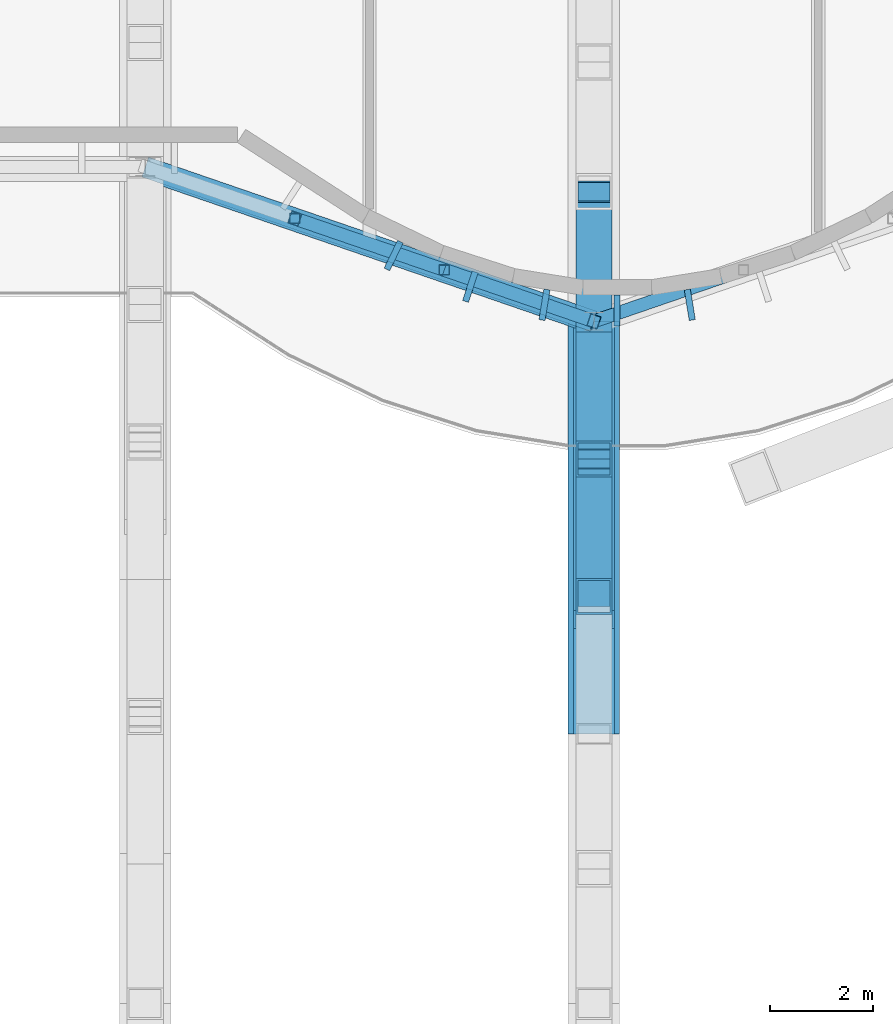
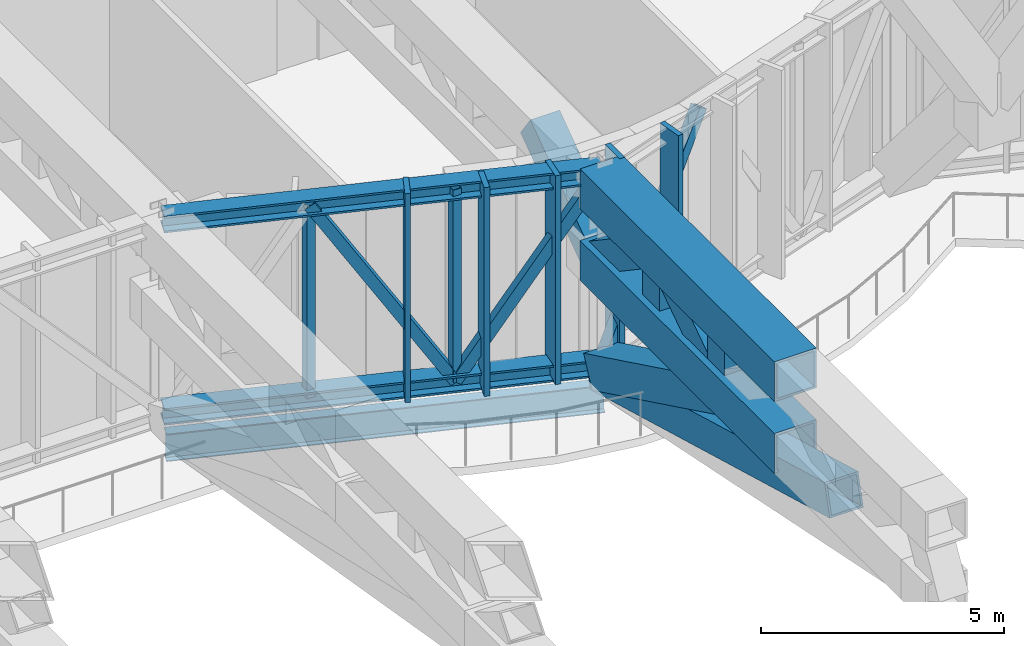
# One storey, part 6 of 30: 21 members, 1 beam, 1 element without a shape of its own.
"""IFC4 building model written with IfcOpenShell, lengths in metres."""

from ifc_helpers import new_model, si_unit, direction, frame, origin, origin_2d, place, context, subcontext, project, spatial, rectangle, hollow_rectangle, i_section, extrude, material, material_profile, profile_set, type_object, element, aggregate, save


model = new_model("IFC4")

# Units and contexts
model_context = context("Model", 3, precision=1e-05, world=origin(), true_north=direction((0.0, 1.0)))
body_context = subcontext(model_context, "Body", "Model", "MODEL_VIEW")
ifc_project = project(units=[si_unit("LENGTHUNIT", "METRE"), si_unit("AREAUNIT", "SQUARE_METRE"), si_unit("VOLUMEUNIT", "CUBIC_METRE"), si_unit("PLANEANGLEUNIT", "RADIAN"), si_unit("MASSUNIT", "GRAM", prefix="KILO")], contexts=[model_context])

# Site, building, storey
site_placement = place(None, origin())
site = spatial("IfcSite", under=ifc_project, at=site_placement, CompositionType="ELEMENT")
building_placement = place(site_placement, origin())
building = spatial("IfcBuilding", under=site, at=building_placement, Name="Bicima Exchange Tower", CompositionType="ELEMENT")
storey_placement = place(building_placement, frame((0.0, 0.0, 287.60009765625)))
storey = spatial("IfcBuildingStorey", under=building, at=storey_placement, Name="L65", CompositionType="ELEMENT", Elevation=287.60009765625)

# Curtain wall, members
ifc_material_1 = material(Name="Anodised bronze aluminium", Category="aluminium")
curtain_wall_type = type_object("IfcCurtainWallType", Name="Band blade screen", PredefinedType="NOTDEFINED", material=ifc_material_1)
curtain_wall_placement = place(storey_placement, origin())
curtain_wall = element("IfcCurtainWall", 1, at=curtain_wall_placement, inside=storey, type_object=curtain_wall_type, Name="Band blade screen L65", PredefinedType="NOTDEFINED")
ifc_material_profile_1 = material_profile(ifc_material_1, rectangle(XDim=0.60009765625, YDim=0.1201171875, at=origin_2d()))
ifc_profile_set_1 = profile_set([ifc_material_profile_1], Name="Anodised bronze aluminium")
member_type_1 = type_object("IfcMemberType", Name="Band blade fin 600 x 120", PredefinedType="USERDEFINED", material=ifc_profile_set_1)
member_1_placement = place(storey_placement, frame((-12.583740234375, -26.798583984375, 0.0), z_axis=(0.0, 0.0, 1.0), x_axis=(0.436286748784, 0.899807686584, 0.0)))
member_1 = element("IfcMember", 2, at=member_1_placement, type_object=member_type_1, Name="Band blade fin 24", ObjectType="FIN", PredefinedType="USERDEFINED", context=body_context, shape_type="SweptSolid", body=[
    extrude(rectangle(XDim=0.60009765625, YDim=0.1201171875, at=origin_2d()), origin(), (0.0, 0.0, 1.0), 5.25),
])
member_2_placement = place(storey_placement, frame((-11.096435546875, -27.402099609375, 0.0), z_axis=(0.0, 0.0, 1.0), x_axis=(0.307552591055, 0.951531083956, 0.0)))
member_2 = element("IfcMember", 3, at=member_2_placement, type_object=member_type_1, Name="Band blade fin 25", ObjectType="FIN", PredefinedType="USERDEFINED", context=body_context, shape_type="SweptSolid", body=[
    extrude(rectangle(XDim=0.60009765625, YDim=0.1201171875, at=origin_2d()), origin(), (0.0, 0.0, 1.0), 5.25),
])
member_3_placement = place(storey_placement, frame((-9.65869140625, -27.75244140625, 0.0), z_axis=(0.0, 0.0, 1.0), x_axis=(0.159533156447, 0.987192570877, 0.0)))
member_3 = element("IfcMember", 4, at=member_3_placement, type_object=member_type_1, Name="Band blade fin 26", ObjectType="FIN", PredefinedType="USERDEFINED", context=body_context, shape_type="SweptSolid", body=[
    extrude(rectangle(XDim=0.60009765625, YDim=0.1201171875, at=origin_2d()), origin(), (0.0, 0.0, 1.0), 5.25),
])
member_4_placement = place(storey_placement, frame((-8.25, -27.866943359375, 0.0), z_axis=(0.0, 0.0, 1.0), x_axis=(0.0, 1.0, 0.0)))
member_4 = element("IfcMember", 5, at=member_4_placement, type_object=member_type_1, Name="Band blade fin 27", ObjectType="FIN", PredefinedType="USERDEFINED", context=body_context, shape_type="SweptSolid", body=[
    extrude(rectangle(XDim=0.60009765625, YDim=0.1201171875, at=origin_2d()), origin(), (0.0, 0.0, 1.0), 5.25),
])
member_5_placement = place(storey_placement, frame((-6.84130859375, -27.75244140625, 0.0), z_axis=(0.0, 0.0, 1.0), x_axis=(-0.159533156447, 0.987192570877, 0.0)))
member_5 = element("IfcMember", 6, at=member_5_placement, type_object=member_type_1, Name="Band blade fin 28", ObjectType="FIN", PredefinedType="USERDEFINED", context=body_context, shape_type="SweptSolid", body=[
    extrude(rectangle(XDim=0.60009765625, YDim=0.1201171875, at=origin_2d()), origin(), (0.0, 0.0, 1.0), 5.25),
])
aggregate(curtain_wall, [member_1, member_2, member_3, member_4, member_5])

# Members
ifc_material_2 = material(Name="Steel ASTM A992 Gr 50", Category="steel")
ifc_material_profile_2 = material_profile(ifc_material_2, i_section(OverallWidth=0.406494140625, OverallDepth=0.41650390625, WebThickness=0.030029296875, FlangeThickness=0.048095703125, at=origin_2d()))
ifc_profile_set_2 = profile_set([ifc_material_profile_2], Name="Steel ASTM A992 Gr 50")
member_type_2 = type_object("IfcMemberType", Name="Belt truss chord W14x257", PredefinedType="CHORD", material=ifc_profile_set_2)
for number, where, z_axis, x_axis, name in (
    (7, (-17.39990234375, -25.08203125, 5.04150390625), (0.945674616091, -0.32511462668, 0.0), (0.32511462668, 0.945674616091, 0.0), "Top chord"),
    (8, (-17.39990234375, -25.08203125, 0.208251953125), (0.945674616091, -0.32511462668, 0.0), (0.32511462668, 0.945674616091, 0.0), "Bottom chord"),
):
    element("IfcMember", number, at=place(storey_placement, frame(where, z_axis=z_axis, x_axis=x_axis)), inside=storey, type_object=member_type_2, Name=name, PredefinedType="CHORD", context=body_context, shape_type="SweptSolid", body=[
        extrude(i_section(OverallWidth=0.406494140625, OverallDepth=0.41650390625, WebThickness=0.030029296875, FlangeThickness=0.048095703125, at=origin_2d()), origin(), (0.0, 0.0, 1.0), 9.19970703125),
    ])
ifc_material_3 = material(Name="Steel ASTM A572 Gr 50", Category="steel")
ifc_material_profile_3 = material_profile(ifc_material_3, hollow_rectangle(XDim=0.25390625, YDim=0.25390625, WallThickness=0.01171875, at=origin_2d()))
ifc_profile_set_3 = profile_set([ifc_material_profile_3], Name="Steel ASTM A572 Gr 50")
member_type_3 = type_object("IfcMemberType", Name="Belt truss diagonal HSS10x10x1/2", PredefinedType="STRUT", material=ifc_profile_set_3)
member_6_placement = place(storey_placement, frame((-14.5, -26.0791015625, 5.04150390625), z_axis=(0.506627494759, -0.174150535537, -0.844393375463), x_axis=(0.325075318312, 0.945688129049, 0.0)))
element("IfcMember", 9, at=member_6_placement, inside=storey, type_object=member_type_3, Name="Truss diagonal", PredefinedType="STRUT", context=body_context, shape_type="SweptSolid", body=[
    extrude(hollow_rectangle(XDim=0.25390625, YDim=0.25390625, WallThickness=0.01171875, at=origin_2d()), origin(), (0.0, 0.0, 1.0), 5.723876953125),
])
member_7_placement = place(storey_placement, frame((-11.60009765625, -27.075927734375, 0.208251953125), z_axis=(0.506655434916, -0.174188129994, 0.844368856389), x_axis=(0.325122040768, 0.94567206716, 0.0)))
element("IfcMember", 10, at=member_7_placement, inside=storey, type_object=member_type_3, Name="Truss diagonal", PredefinedType="STRUT", context=body_context, shape_type="SweptSolid", body=[
    extrude(hollow_rectangle(XDim=0.25390625, YDim=0.25390625, WallThickness=0.01171875, at=origin_2d()), origin(), (0.0, 0.0, 1.0), 5.72412109375),
])
member_8_placement = place(storey_placement, frame((-8.699951171875, -28.072998046875, 0.208251953125), z_axis=(0.506623731126, 0.174191894083, 0.844387102635), x_axis=(-0.325146518908, 0.945663651222, 0.0)))
element("IfcMember", 11, at=member_8_placement, inside=storey, type_object=member_type_3, Name="Truss diagonal", PredefinedType="STRUT", context=body_context, shape_type="SweptSolid", body=[
    extrude(hollow_rectangle(XDim=0.25390625, YDim=0.25390625, WallThickness=0.01171875, at=origin_2d()), origin(), (0.0, 0.0, 1.0), 5.723876953125),
])
ifc_material_profile_4 = material_profile(ifc_material_3, hollow_rectangle(XDim=0.203125, YDim=0.203125, WallThickness=0.01171875, at=origin_2d()))
ifc_profile_set_4 = profile_set([ifc_material_profile_4], Name="Steel ASTM A572 Gr 50")
member_type_4 = type_object("IfcMemberType", Name="Belt truss post HSS8x8x1/2", PredefinedType="POST", material=ifc_profile_set_4)
for number, where, z_axis, x_axis, name in (
    (12, (-14.5, -26.0791015625, 0.208251953125), (0.0, 0.0, 1.0), (1.0, 0.0, 0.0), "Truss post"),
    (13, (-11.60009765625, -27.075927734375, 0.208251953125), (0.0, 0.0, 1.0), (1.0, 0.0, 0.0), "Truss post"),
):
    element("IfcMember", number, at=place(storey_placement, frame(where, z_axis=z_axis, x_axis=x_axis)), inside=storey, type_object=member_type_4, Name=name, PredefinedType="POST", context=body_context, shape_type="SweptSolid", body=[
        extrude(hollow_rectangle(XDim=0.203125, YDim=0.203125, WallThickness=0.01171875, at=origin_2d()), origin(), (0.0, 0.0, 1.0), 4.833251953125),
    ])

# Beam
ifc_material_profile_5 = material_profile(ifc_material_2, i_section(OverallWidth=0.256591796875, OverallDepth=0.693359375, WebThickness=0.014404296875, FlangeThickness=0.023681640625, at=origin_2d()))
ifc_profile_set_5 = profile_set([ifc_material_profile_5], Name="Steel ASTM A992 Gr 50")
beam_type = type_object("IfcBeamType", Name="Front girder W27x114", PredefinedType="BEAM", material=ifc_profile_set_5)
beam_placement = place(storey_placement, frame((-17.39990234375, -25.2041015625, -0.546875), z_axis=(0.945674616091, -0.32511462668, 0.0), x_axis=(0.32511462668, 0.945674616091, 0.0)))
element("IfcBeam", 14, at=beam_placement, inside=storey, type_object=beam_type, Name="Front girder", PredefinedType="BEAM", context=body_context, shape_type="SweptSolid", body=[
    extrude(i_section(OverallWidth=0.256591796875, OverallDepth=0.693359375, WebThickness=0.014404296875, FlangeThickness=0.023681640625, at=origin_2d()), origin(), (0.0, 0.0, 1.0), 9.19970703125),
])

# Members
ifc_material_profile_6 = material_profile(ifc_material_3, hollow_rectangle(XDim=1.0, YDim=1.0, WallThickness=0.06005859375, at=origin_2d()))
ifc_profile_set_6 = profile_set([ifc_material_profile_6], Name="Steel ASTM A572 Gr 50")
member_type_5 = type_object("IfcMemberType", Name="Pool cantilever truss chord BOX 1000x1000x60", PredefinedType="CHORD", material=ifc_profile_set_6)
for number, where, z_axis, x_axis, name in (
    (15, (-8.699951171875, -28.072998046875, 4.75), (0.0, -1.0, 0.0), (1.0, 0.0, 0.0), "Top chord"),
    (16, (-8.699951171875, -28.072998046875, 2.949951171875), (0.0, -1.0, 0.0), (1.0, 0.0, 0.0), "Bottom chord"),
):
    element("IfcMember", number, at=place(storey_placement, frame(where, z_axis=z_axis, x_axis=x_axis)), inside=storey, type_object=member_type_5, Name=name, PredefinedType="CHORD", context=body_context, shape_type="SweptSolid", body=[
        extrude(hollow_rectangle(XDim=1.0, YDim=1.0, WallThickness=0.06005859375, at=origin_2d()), origin(), (0.0, 0.0, 1.0), 8.0),
    ])
ifc_material_profile_7 = material_profile(ifc_material_3, hollow_rectangle(XDim=0.699951171875, YDim=0.699951171875, WallThickness=0.0400390625, at=origin_2d()))
ifc_profile_set_7 = profile_set([ifc_material_profile_7], Name="Steel ASTM A572 Gr 50")
member_type_6 = type_object("IfcMemberType", Name="Pool cantilever truss diagonal BOX 700x700x40", PredefinedType="STRUT", material=ifc_profile_set_7)
member_9_placement = place(storey_placement, frame((-8.699951171875, -25.560791015625, 4.75), z_axis=(0.0, -0.812873228809, -0.582440652673), x_axis=(1.0, 0.0, 0.0)))
element("IfcMember", 17, at=member_9_placement, inside=storey, type_object=member_type_6, Name="Truss diagonal", PredefinedType="STRUT", context=body_context, shape_type="SweptSolid", body=[
    extrude(hollow_rectangle(XDim=0.699951171875, YDim=0.699951171875, WallThickness=0.0400390625, at=origin_2d()), origin(), (0.0, 0.0, 1.0), 3.090576171875),
])
for number, where, z_axis, x_axis, name in (
    (18, (-8.699951171875, -28.072998046875, 2.949951171875), (0.0, -0.828849553761, 0.559471551761), (1.0, 0.0, 0.0), "Truss diagonal"),
    (19, (-8.699951171875, -30.73974609375, 4.75), (0.0, -0.828849553761, -0.559471551761), (1.0, 0.0, 0.0), "Truss diagonal"),
):
    element("IfcMember", number, at=place(storey_placement, frame(where, z_axis=z_axis, x_axis=x_axis)), inside=storey, type_object=member_type_6, Name=name, PredefinedType="STRUT", context=body_context, shape_type="SweptSolid", body=[
        extrude(hollow_rectangle(XDim=0.699951171875, YDim=0.699951171875, WallThickness=0.0400390625, at=origin_2d()), origin(), (0.0, 0.0, 1.0), 3.217529296875),
    ])
member_type_7 = type_object("IfcMemberType", Name="Pool cantilever truss post BOX 700x700x40", PredefinedType="POST", material=ifc_profile_set_7)
for number, where, z_axis, x_axis, name in (
    (20, (-8.699951171875, -30.73974609375, 2.949951171875), (0.0, 0.0, 1.0), (1.0, 0.0, 0.0), "Truss post"),
    (21, (-8.699951171875, -33.406494140625, 2.949951171875), (0.0, 0.0, 1.0), (1.0, 0.0, 0.0), "Truss post"),
):
    element("IfcMember", number, at=place(storey_placement, frame(where, z_axis=z_axis, x_axis=x_axis)), inside=storey, type_object=member_type_7, Name=name, PredefinedType="POST", context=body_context, shape_type="SweptSolid", body=[
        extrude(hollow_rectangle(XDim=0.699951171875, YDim=0.699951171875, WallThickness=0.0400390625, at=origin_2d()), origin(), (0.0, 0.0, 1.0), 1.800048828125),
    ])
ifc_material_profile_8 = material_profile(ifc_material_3, hollow_rectangle(XDim=0.800048828125, YDim=0.800048828125, WallThickness=0.050048828125, at=origin_2d()))
ifc_profile_set_8 = profile_set([ifc_material_profile_8], Name="Steel ASTM A572 Gr 50")
member_type_8 = type_object("IfcMemberType", Name="Pool knee brace BOX 800x800x50", PredefinedType="BRACE", material=ifc_profile_set_8)
member_10_placement = place(storey_placement, frame((-8.699951171875, -28.22314453125, 0.208251953125), z_axis=(0.0, -0.899094130684, 0.437755347391), x_axis=(1.0, 0.0, 0.0)))
element("IfcMember", 22, at=member_10_placement, inside=storey, type_object=member_type_8, Name="Pool knee brace", PredefinedType="BRACE", context=body_context, shape_type="SweptSolid", body=[
    extrude(hollow_rectangle(XDim=0.800048828125, YDim=0.800048828125, WallThickness=0.050048828125, at=origin_2d()), origin(), (0.0, 0.0, 1.0), 6.26318359375),
])
member_11_placement = place(storey_placement, frame((-8.699951171875, -28.22314453125, 0.208251953125), z_axis=(0.0, -0.963408405557, 0.268037766188), x_axis=(1.0, 0.0, 0.0)))
element("IfcMember", 23, at=member_11_placement, inside=storey, type_object=member_type_8, Name="Pool knee brace", PredefinedType="BRACE", context=body_context, shape_type="SweptSolid", body=[
    extrude(hollow_rectangle(XDim=0.800048828125, YDim=0.800048828125, WallThickness=0.050048828125, at=origin_2d()), origin(), (0.0, 0.0, 1.0), 10.228759765625),
])

save(model, "model.ifc")
